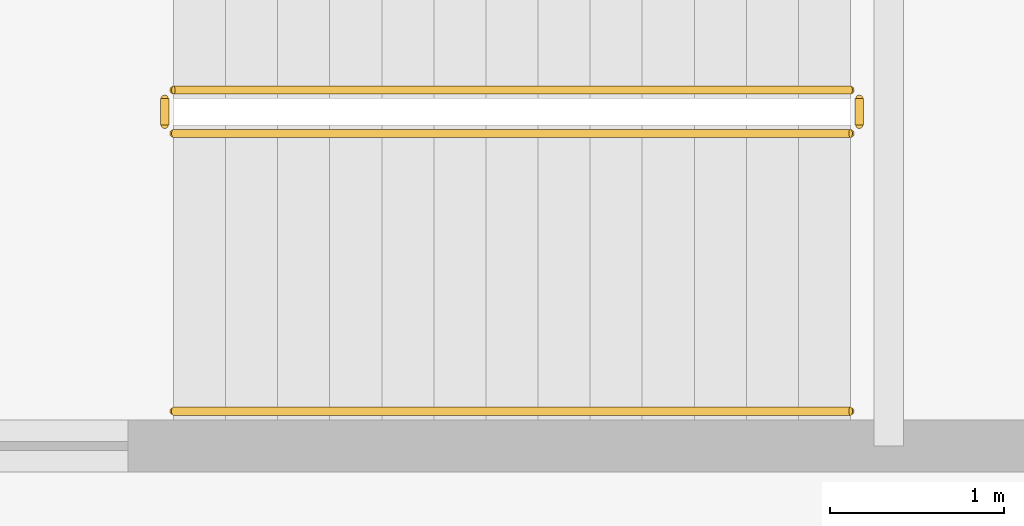
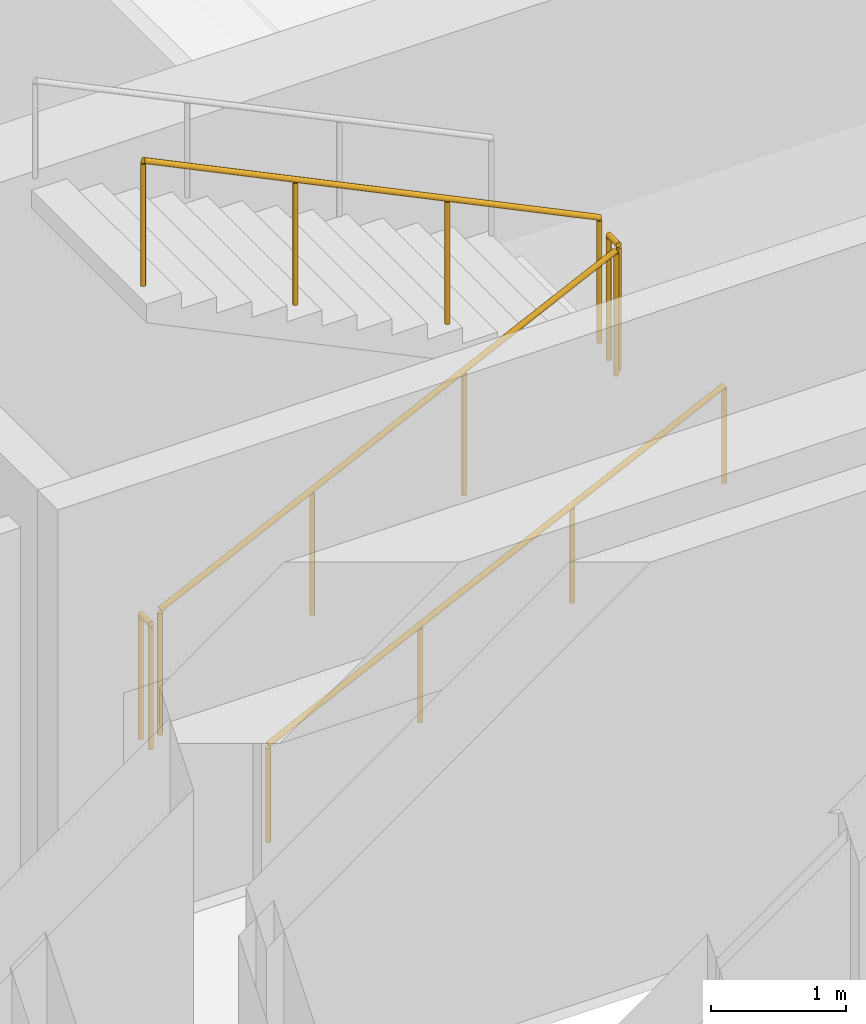
# One storey, part 41 of 46: 5 railings.
"""IFC4 building model written with IfcOpenShell, lengths in metres."""

from ifc_helpers import new_model, si_unit, direction, frame, origin, origin_2d, place, context, subcontext, project, spatial, circle, extrude, material, type_object, element, save


model = new_model("IFC4")

# Units and contexts
model_context = context("Model", 3, precision=1e-05, world=origin(), true_north=direction((0.0, 1.0)))
body_context = subcontext(model_context, "Body", "Model", "MODEL_VIEW")
ifc_project = project(units=[si_unit("LENGTHUNIT", "METRE"), si_unit("AREAUNIT", "SQUARE_METRE"), si_unit("VOLUMEUNIT", "CUBIC_METRE"), si_unit("PLANEANGLEUNIT", "RADIAN"), si_unit("MASSUNIT", "GRAM", prefix="KILO")], contexts=[model_context])

# Site, building, storey
site_placement = place(None, origin())
site = spatial("IfcSite", under=ifc_project, at=site_placement, CompositionType="ELEMENT")
building_placement = place(site_placement, origin())
building = spatial("IfcBuilding", under=site, at=building_placement, Name="Punatoya Terracotta Tower", CompositionType="ELEMENT")
storey_placement = place(building_placement, frame((0.0, 0.0, 200.550048828125)))
storey = spatial("IfcBuildingStorey", under=building, at=storey_placement, Name="L47", CompositionType="ELEMENT", Elevation=200.550048828125)

# Railings
ifc_material = material(Name="Steel S355", Category="steel")
railing_type_1 = type_object("IfcRailingType", Name="RLG-GRD-1150", PredefinedType="GUARDRAIL", material=ifc_material)
railing_1_placement = place(storey_placement, frame((-2.89990234375, 6.949951171875, 0.14453125)))
element("IfcRailing", 1, at=railing_1_placement, inside=storey, type_object=railing_type_1, Name="L47 ST-3 stair guard 1", PredefinedType="GUARDRAIL", context=body_context, shape_type="SweptSolid", body=[
    extrude(circle(Radius=0.02392578125, at=origin_2d()), frame((0.0, 0.0, 1.1259765625), z_axis=(0.900763166376, 0.0, 0.434310623978), x_axis=(0.0, 1.0, 0.0)), (0.0, 0.0, 1.0), 4.32958984375),
    extrude(circle(Radius=0.02099609375, at=origin_2d()), origin(), (0.0, 0.0, 1.0), 1.101806640625),
    extrude(circle(Radius=0.02099609375, at=origin_2d()), frame((1.300048828125, 0.0, 0.626708984375)), (0.0, 0.0, 1.0), 1.101806640625),
    extrude(circle(Radius=0.02099609375, at=origin_2d()), frame((2.599853515625, 0.0, 1.253662109375)), (0.0, 0.0, 1.0), 1.101806640625),
    extrude(circle(Radius=0.02099609375, at=origin_2d()), frame((3.89990234375, 0.0, 1.88037109375)), (0.0, 0.0, 1.0), 1.101806640625),
])
railing_2_placement = place(storey_placement, frame((1.050048828125, 7.0, 2.02490234375)))
element("IfcRailing", 2, at=railing_2_placement, inside=storey, type_object=railing_type_1, Name="L47 ST-3 stair guard 2", PredefinedType="GUARDRAIL", context=body_context, shape_type="SweptSolid", body=[
    extrude(circle(Radius=0.02392578125, at=origin_2d()), frame((0.0, 0.0, 1.1259765625), z_axis=(0.0, 1.0, 0.0), x_axis=(-1.0, 0.0, 0.0)), (0.0, 0.0, 1.0), 0.14990234375),
    extrude(circle(Radius=0.02099609375, at=origin_2d()), origin(), (0.0, 0.0, 1.0), 1.101806640625),
    extrude(circle(Radius=0.02099609375, at=origin_2d()), frame((0.0, 0.14990234375, 0.0)), (0.0, 0.0, 1.0), 1.101806640625),
])
railing_3_placement = place(storey_placement, frame((1.0, 7.199951171875, 2.169677734375)))
element("IfcRailing", 3, at=railing_3_placement, inside=storey, type_object=railing_type_1, Name="L47 ST-3 stair guard 3", PredefinedType="GUARDRAIL", context=body_context, shape_type="SweptSolid", body=[
    extrude(circle(Radius=0.02392578125, at=origin_2d()), frame((0.0, 0.0, 1.1259765625), z_axis=(-0.900763166376, 0.0, 0.434310623978), x_axis=(0.0, -1.0, 0.0)), (0.0, 0.0, 1.0), 4.32958984375),
    extrude(circle(Radius=0.02099609375, at=origin_2d()), origin(), (0.0, 0.0, 1.0), 1.101806640625),
    extrude(circle(Radius=0.02099609375, at=origin_2d()), frame((-1.300048828125, 0.0, 0.626708984375)), (0.0, 0.0, 1.0), 1.101806640625),
    extrude(circle(Radius=0.02099609375, at=origin_2d()), frame((-2.599853515625, 0.0, 1.253662109375)), (0.0, 0.0, 1.0), 1.101806640625),
    extrude(circle(Radius=0.02099609375, at=origin_2d()), frame((-3.89990234375, 0.0, 1.88037109375)), (0.0, 0.0, 1.0), 1.101806640625),
])
railing_4_placement = place(storey_placement, frame((-2.949951171875, 7.0, 0.0)))
element("IfcRailing", 4, at=railing_4_placement, inside=storey, type_object=railing_type_1, Name="L47 ST-3 stair guard 4", PredefinedType="GUARDRAIL", context=body_context, shape_type="SweptSolid", body=[
    extrude(circle(Radius=0.02392578125, at=origin_2d()), frame((0.0, 0.0, 1.1259765625), z_axis=(0.0, 1.0, 0.0), x_axis=(-1.0, 0.0, 0.0)), (0.0, 0.0, 1.0), 0.14990234375),
    extrude(circle(Radius=0.02099609375, at=origin_2d()), origin(), (0.0, 0.0, 1.0), 1.101806640625),
    extrude(circle(Radius=0.02099609375, at=origin_2d()), frame((0.0, 0.14990234375, 0.0)), (0.0, 0.0, 1.0), 1.101806640625),
])
railing_type_2 = type_object("IfcRailingType", Name="RLG-HND-900", PredefinedType="HANDRAIL", material=ifc_material)
railing_5_placement = place(storey_placement, frame((-2.89990234375, 5.35009765625, 0.14453125)))
element("IfcRailing", 5, at=railing_5_placement, inside=storey, type_object=railing_type_2, Name="L47 ST-3 stair handrail 1", PredefinedType="HANDRAIL", context=body_context, shape_type="SweptSolid", body=[
    extrude(circle(Radius=0.02392578125, at=origin_2d()), frame((0.0, 0.0, 0.8759765625), z_axis=(0.900763166376, 0.0, 0.434310623978), x_axis=(0.0, 1.0, 0.0)), (0.0, 0.0, 1.0), 4.32958984375),
    extrude(circle(Radius=0.02099609375, at=origin_2d()), origin(), (0.0, 0.0, 1.0), 0.851806640625),
    extrude(circle(Radius=0.02099609375, at=origin_2d()), frame((1.300048828125, 0.0, 0.626708984375)), (0.0, 0.0, 1.0), 0.851806640625),
    extrude(circle(Radius=0.02099609375, at=origin_2d()), frame((2.599853515625, 0.0, 1.253662109375)), (0.0, 0.0, 1.0), 0.851806640625),
    extrude(circle(Radius=0.02099609375, at=origin_2d()), frame((3.89990234375, 0.0, 1.88037109375)), (0.0, 0.0, 1.0), 0.851806640625),
])

save(model, "model.ifc")
